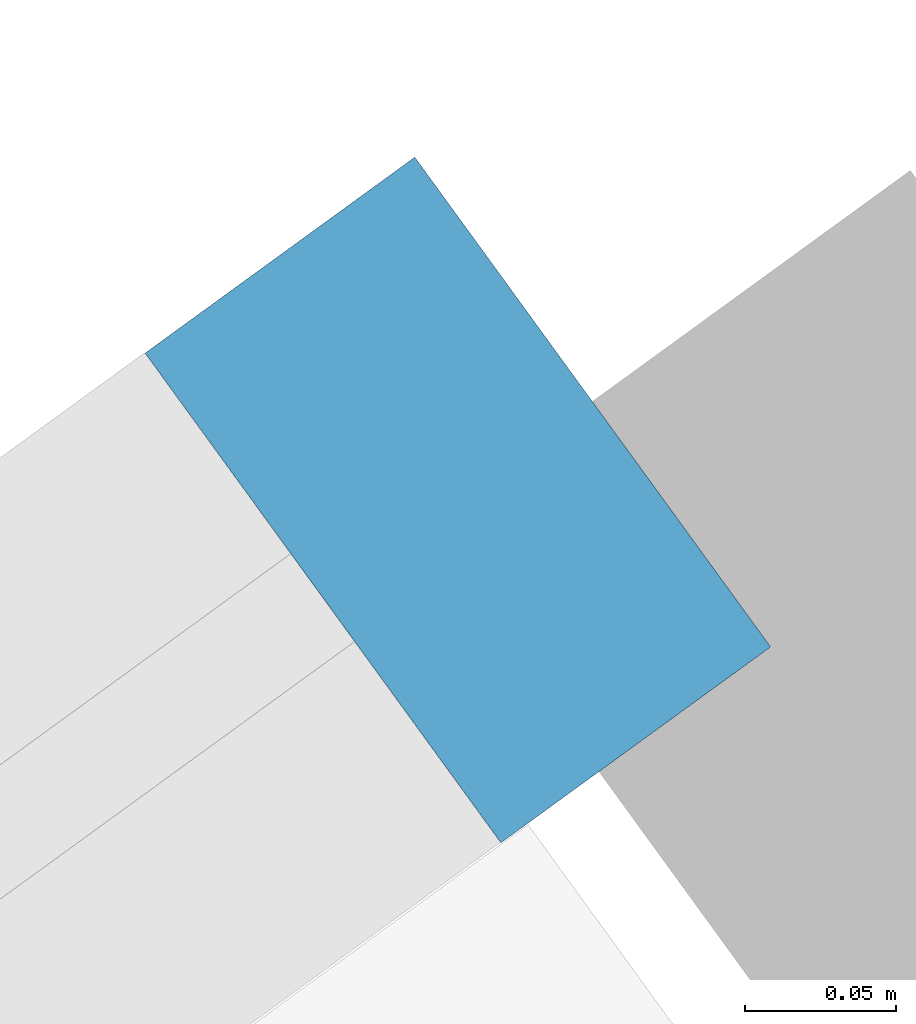
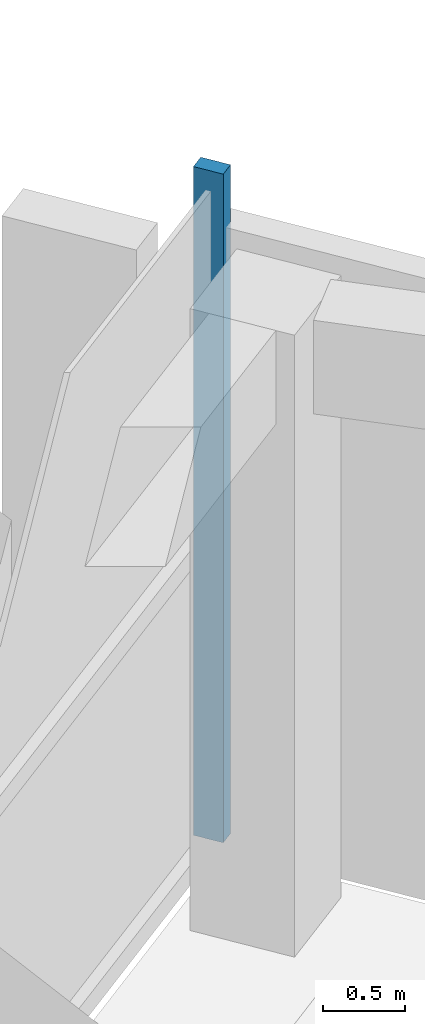
# One storey, part 4 of 14: 1 member, 1 element without a shape of its own.
"""IFC4 building model written with IfcOpenShell, lengths in metres."""

from ifc_helpers import new_model, si_unit, direction, frame, origin, origin_2d, place, context, subcontext, project, spatial, rectangle, extrude, material, material_profile, profile_set, type_object, element, aggregate, save


model = new_model("IFC4")

# Units and contexts
model_context = context("Model", 3, precision=1e-05, world=origin(), true_north=direction((0.0, 1.0)))
body_context = subcontext(model_context, "Body", "Model", "MODEL_VIEW")
ifc_project = project(units=[si_unit("LENGTHUNIT", "METRE"), si_unit("AREAUNIT", "SQUARE_METRE"), si_unit("VOLUMEUNIT", "CUBIC_METRE"), si_unit("PLANEANGLEUNIT", "RADIAN"), si_unit("MASSUNIT", "GRAM", prefix="KILO")], contexts=[model_context])

# Site, building, storey
site_placement = place(None, origin())
site = spatial("IfcSite", under=ifc_project, at=site_placement, CompositionType="ELEMENT")
building_placement = place(site_placement, origin())
building = spatial("IfcBuilding", under=site, at=building_placement, Name="Quipu Civic Tower", CompositionType="ELEMENT")
storey_placement = place(building_placement, frame((0.0, 0.0, 248.0)))
storey = spatial("IfcBuildingStorey", under=building, at=storey_placement, Name="L58", CompositionType="ELEMENT", Elevation=248.0)

# Curtain wall, member
ifc_material_1 = material(Name="Insulated glass unit", Category="glass")
curtain_wall_type = type_object("IfcCurtainWallType", Name="Sky lobby and refuge curtain wall CW5", PredefinedType="NOTDEFINED", material=ifc_material_1)
curtain_wall_placement = place(storey_placement, origin())
curtain_wall = element("IfcCurtainWall", 1, at=curtain_wall_placement, inside=storey, type_object=curtain_wall_type, Name="Sky lobby and refuge curtain wall CW5 L58 run 6", PredefinedType="NOTDEFINED")
ifc_material_2 = material(Name="Anodised aluminium", Category="aluminium")
ifc_material_profile = material_profile(ifc_material_2, rectangle(XDim=0.199951171875, YDim=0.110107421875, at=origin_2d()), Name="RECT 200x110")
ifc_profile_set = profile_set([ifc_material_profile], Name="Anodised aluminium")
member_type = type_object("IfcMemberType", Name="Mullion CW5", PredefinedType="MULLION", material=ifc_profile_set)
member_placement = place(storey_placement, frame((-28.423095703125, 21.197265625, 0.074951171875), z_axis=(0.0, 0.0, 1.0), x_axis=(0.587787753918, -0.809015176832, 0.0)))
member = element("IfcMember", 2, at=member_placement, type_object=member_type, Name="CW5 mullion 1", PredefinedType="MULLION", context=body_context, shape_type="SweptSolid", body=[
    extrude(rectangle(XDim=0.199951171875, YDim=0.110107421875, at=origin_2d()), origin(), (0.0, 0.0, 1.0), 5.0),
])
aggregate(curtain_wall, [member])

save(model, "model.ifc")
